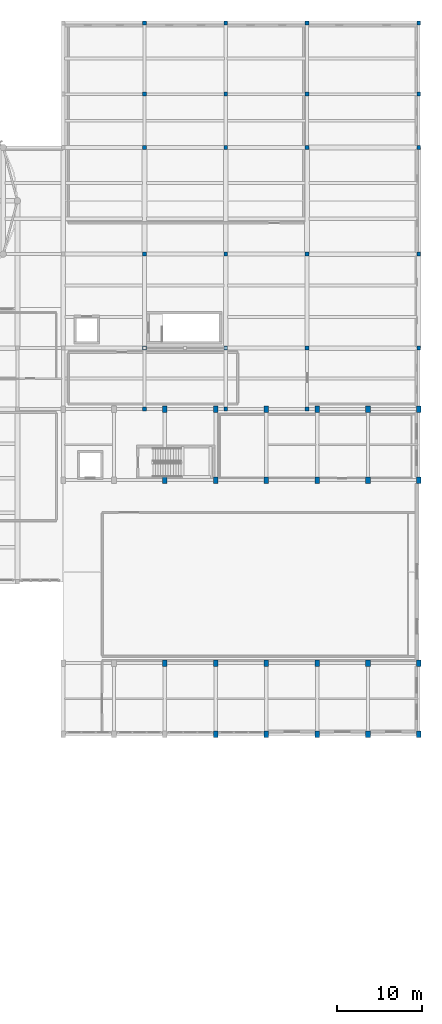
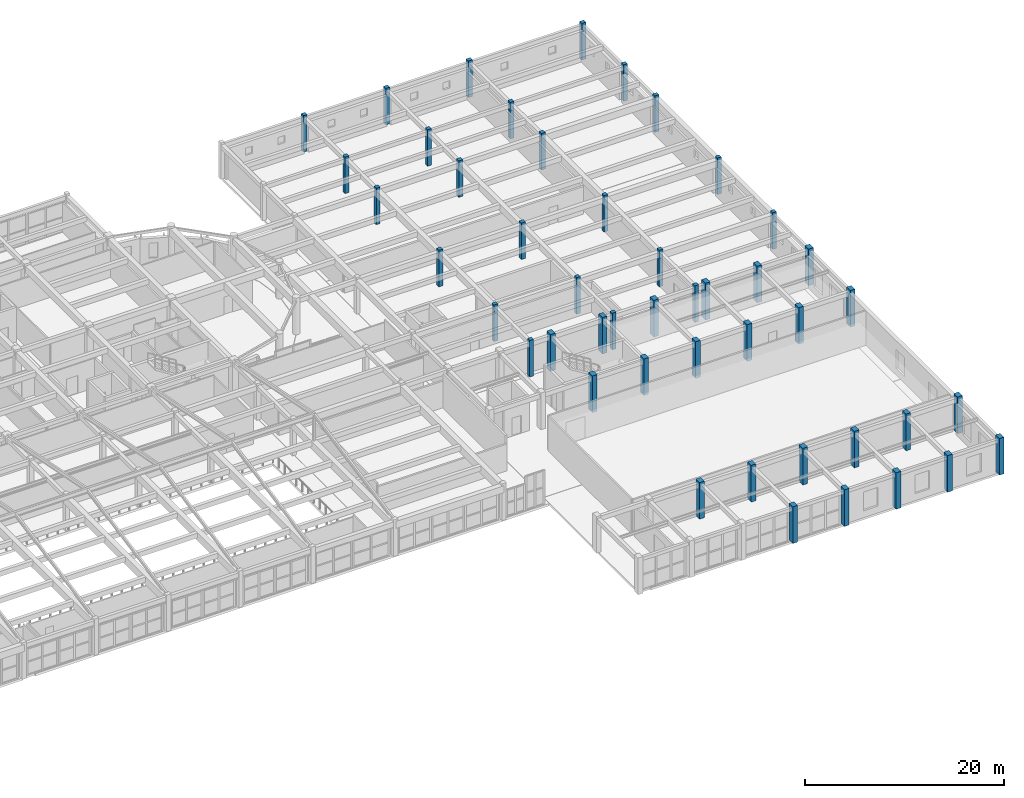
# One storey, part 4 of 91: 46 columns.
"""IFC4 building model written with IfcOpenShell, lengths in metres."""

from ifc_helpers import new_model, si_unit, direction, frame, origin, origin_2d, place, context, subcontext, project, spatial, rectangle, extrude, material, material_profile, profile_set, type_object, element, save


model = new_model("IFC4")

# Units and contexts
model_context = context("Model", 3, precision=1e-05, world=origin(), true_north=direction((0.0, 1.0)))
body_context = subcontext(model_context, "Body", "Model", "MODEL_VIEW")
ifc_project = project(units=[si_unit("LENGTHUNIT", "METRE"), si_unit("AREAUNIT", "SQUARE_METRE"), si_unit("VOLUMEUNIT", "CUBIC_METRE"), si_unit("PLANEANGLEUNIT", "RADIAN"), si_unit("MASSUNIT", "GRAM", prefix="KILO")], contexts=[model_context])

# Site, building, storey
site_placement = place(None, origin())
site = spatial("IfcSite", under=ifc_project, at=site_placement, CompositionType="ELEMENT")
building_placement = place(site_placement, origin())
building = spatial("IfcBuilding", under=site, at=building_placement, Name="Tarnavel Promenade Courthouse", CompositionType="ELEMENT")
storey_placement = place(building_placement, frame((0.0, 0.0, 9.89990234375)))
storey = spatial("IfcBuildingStorey", under=building, at=storey_placement, Name="L03", CompositionType="ELEMENT", Elevation=9.89990234375)

# Columns
ifc_material = material(Name="Concrete C40/50", Category="concrete")
ifc_material_profile_1 = material_profile(ifc_material, rectangle(XDim=0.449951171875, YDim=0.449951171875, at=origin_2d()), Name="RC 450x450")
ifc_profile_set_1 = profile_set([ifc_material_profile_1], Name="Concrete C40/50")
column_type_1 = type_object("IfcColumnType", Name="Concrete C40/50 COL-RC450-PAV (RC 450x450)", PredefinedType="COLUMN", material=ifc_profile_set_1)
for number, where, z_axis, x_axis, name in (
    (1, (129.60009765625, 67.199951171875, 0.0), (0.0, 0.0, 1.0), (1.0, 0.0, 0.0), "L03 Structural Column 0909"),
    (2, (129.60009765625, 74.39990234375, 0.0), (0.0, 0.0, 1.0), (1.0, 0.0, 0.0), "L03 Structural Column 0913"),
    (3, (129.60009765625, 85.5, 0.0), (0.0, 0.0, 1.0), (1.0, 0.0, 0.0), "L03 Structural Column 0917"),
    (4, (129.60009765625, 98.10009765625, 0.0), (0.0, 0.0, 1.0), (1.0, 0.0, 0.0), "L03 Structural Column 0921"),
    (5, (129.60009765625, 104.39990234375, 0.0), (0.0, 0.0, 1.0), (1.0, 0.0, 0.0), "L03 Structural Column 0925"),
    (6, (129.60009765625, 112.800048828125, 0.0), (0.0, 0.0, 1.0), (1.0, 0.0, 0.0), "L03 Structural Column 0929"),
    (7, (139.199951171875, 67.199951171875, 0.0), (0.0, 0.0, 1.0), (1.0, 0.0, 0.0), "L03 Structural Column 0933"),
    (8, (139.199951171875, 74.39990234375, 0.0), (0.0, 0.0, 1.0), (1.0, 0.0, 0.0), "L03 Structural Column 0937"),
    (9, (139.199951171875, 85.5, 0.0), (0.0, 0.0, 1.0), (1.0, 0.0, 0.0), "L03 Structural Column 0941"),
    (10, (139.199951171875, 98.10009765625, 0.0), (0.0, 0.0, 1.0), (1.0, 0.0, 0.0), "L03 Structural Column 0945"),
    (11, (139.199951171875, 104.39990234375, 0.0), (0.0, 0.0, 1.0), (1.0, 0.0, 0.0), "L03 Structural Column 0949"),
    (12, (139.199951171875, 112.800048828125, 0.0), (0.0, 0.0, 1.0), (1.0, 0.0, 0.0), "L03 Structural Column 0953"),
    (13, (148.800048828125, 67.199951171875, 0.0), (0.0, 0.0, 1.0), (1.0, 0.0, 0.0), "L03 Structural Column 0957"),
    (14, (148.800048828125, 74.39990234375, 0.0), (0.0, 0.0, 1.0), (1.0, 0.0, 0.0), "L03 Structural Column 0961"),
    (15, (148.800048828125, 85.5, 0.0), (0.0, 0.0, 1.0), (1.0, 0.0, 0.0), "L03 Structural Column 0965"),
    (16, (148.800048828125, 98.10009765625, 0.0), (0.0, 0.0, 1.0), (1.0, 0.0, 0.0), "L03 Structural Column 0969"),
    (17, (148.800048828125, 104.39990234375, 0.0), (0.0, 0.0, 1.0), (1.0, 0.0, 0.0), "L03 Structural Column 0973"),
    (18, (148.800048828125, 112.800048828125, 0.0), (0.0, 0.0, 1.0), (1.0, 0.0, 0.0), "L03 Structural Column 0977"),
    (19, (162.0, 74.39990234375, 0.0), (0.0, 0.0, 1.0), (1.0, 0.0, 0.0), "L03 Structural Column 0981"),
    (20, (162.0, 85.5, 0.0), (0.0, 0.0, 1.0), (1.0, 0.0, 0.0), "L03 Structural Column 0985"),
    (21, (162.0, 98.10009765625, 0.0), (0.0, 0.0, 1.0), (1.0, 0.0, 0.0), "L03 Structural Column 0989"),
    (22, (162.0, 104.39990234375, 0.0), (0.0, 0.0, 1.0), (1.0, 0.0, 0.0), "L03 Structural Column 0993"),
    (23, (162.0, 112.800048828125, 0.0), (0.0, 0.0, 1.0), (1.0, 0.0, 0.0), "L03 Structural Column 0997"),
):
    element("IfcColumn", number, at=place(storey_placement, frame(where, z_axis=z_axis, x_axis=x_axis)), inside=storey, type_object=column_type_1, Name=name, PredefinedType="COLUMN", context=body_context, shape_type="SweptSolid", body=[
        extrude(rectangle(XDim=0.449951171875, YDim=0.449951171875, at=origin_2d()), origin(), (0.0, 0.0, 1.0), 4.5),
    ])
ifc_material_profile_2 = material_profile(ifc_material, rectangle(XDim=0.550048828125, YDim=0.75, at=origin_2d()), Name="RC 550x750")
ifc_profile_set_2 = profile_set([ifc_material_profile_2], Name="Concrete C40/50")
column_type_2 = type_object("IfcColumnType", Name="Concrete C40/50 COL-RC550x750 (RC 550x750)", PredefinedType="COLUMN", material=ifc_profile_set_2)
for number, where, z_axis, x_axis, name in (
    (24, (132.0, 37.199951171875, 0.0), (0.0, 0.0, 1.0), (1.0, 0.0, 0.0), "L03 Structural Column 0774"),
    (25, (132.0, 58.800048828125, 0.0), (0.0, 0.0, 1.0), (1.0, 0.0, 0.0), "L03 Structural Column 0779"),
    (26, (132.0, 67.199951171875, 0.0), (0.0, 0.0, 1.0), (1.0, 0.0, 0.0), "L03 Structural Column 0784"),
    (27, (138.0, 28.800048828125, 0.0), (0.0, 0.0, 1.0), (1.0, 0.0, 0.0), "L03 Structural Column 0789"),
    (28, (138.0, 37.199951171875, 0.0), (0.0, 0.0, 1.0), (1.0, 0.0, 0.0), "L03 Structural Column 0794"),
    (29, (138.0, 58.800048828125, 0.0), (0.0, 0.0, 1.0), (1.0, 0.0, 0.0), "L03 Structural Column 0799"),
    (30, (138.0, 67.199951171875, 0.0), (0.0, 0.0, 1.0), (1.0, 0.0, 0.0), "L03 Structural Column 0804"),
    (31, (144.0, 28.800048828125, 0.0), (0.0, 0.0, 1.0), (1.0, 0.0, 0.0), "L03 Structural Column 0809"),
    (32, (144.0, 37.199951171875, 0.0), (0.0, 0.0, 1.0), (1.0, 0.0, 0.0), "L03 Structural Column 0814"),
    (33, (144.0, 58.800048828125, 0.0), (0.0, 0.0, 1.0), (1.0, 0.0, 0.0), "L03 Structural Column 0819"),
    (34, (144.0, 67.199951171875, 0.0), (0.0, 0.0, 1.0), (1.0, 0.0, 0.0), "L03 Structural Column 0824"),
    (35, (150.0, 28.800048828125, 0.0), (0.0, 0.0, 1.0), (1.0, 0.0, 0.0), "L03 Structural Column 0829"),
    (36, (150.0, 37.199951171875, 0.0), (0.0, 0.0, 1.0), (1.0, 0.0, 0.0), "L03 Structural Column 0834"),
    (37, (150.0, 58.800048828125, 0.0), (0.0, 0.0, 1.0), (1.0, 0.0, 0.0), "L03 Structural Column 0839"),
    (38, (150.0, 67.199951171875, 0.0), (0.0, 0.0, 1.0), (1.0, 0.0, 0.0), "L03 Structural Column 0844"),
    (39, (156.0, 28.800048828125, 0.0), (0.0, 0.0, 1.0), (1.0, 0.0, 0.0), "L03 Structural Column 0849"),
    (40, (156.0, 37.199951171875, 0.0), (0.0, 0.0, 1.0), (1.0, 0.0, 0.0), "L03 Structural Column 0854"),
    (41, (156.0, 58.800048828125, 0.0), (0.0, 0.0, 1.0), (1.0, 0.0, 0.0), "L03 Structural Column 0859"),
    (42, (156.0, 67.199951171875, 0.0), (0.0, 0.0, 1.0), (1.0, 0.0, 0.0), "L03 Structural Column 0864"),
    (43, (162.0, 28.800048828125, 0.0), (0.0, 0.0, 1.0), (1.0, 0.0, 0.0), "L03 Structural Column 0869"),
    (44, (162.0, 37.199951171875, 0.0), (0.0, 0.0, 1.0), (1.0, 0.0, 0.0), "L03 Structural Column 0874"),
    (45, (162.0, 58.800048828125, 0.0), (0.0, 0.0, 1.0), (1.0, 0.0, 0.0), "L03 Structural Column 0879"),
    (46, (162.0, 67.199951171875, 0.0), (0.0, 0.0, 1.0), (1.0, 0.0, 0.0), "L03 Structural Column 0884"),
):
    element("IfcColumn", number, at=place(storey_placement, frame(where, z_axis=z_axis, x_axis=x_axis)), inside=storey, type_object=column_type_2, Name=name, PredefinedType="COLUMN", context=body_context, shape_type="SweptSolid", body=[
        extrude(rectangle(XDim=0.550048828125, YDim=0.75, at=origin_2d()), origin(), (0.0, 0.0, 1.0), 4.5),
    ])

save(model, "model.ifc")
